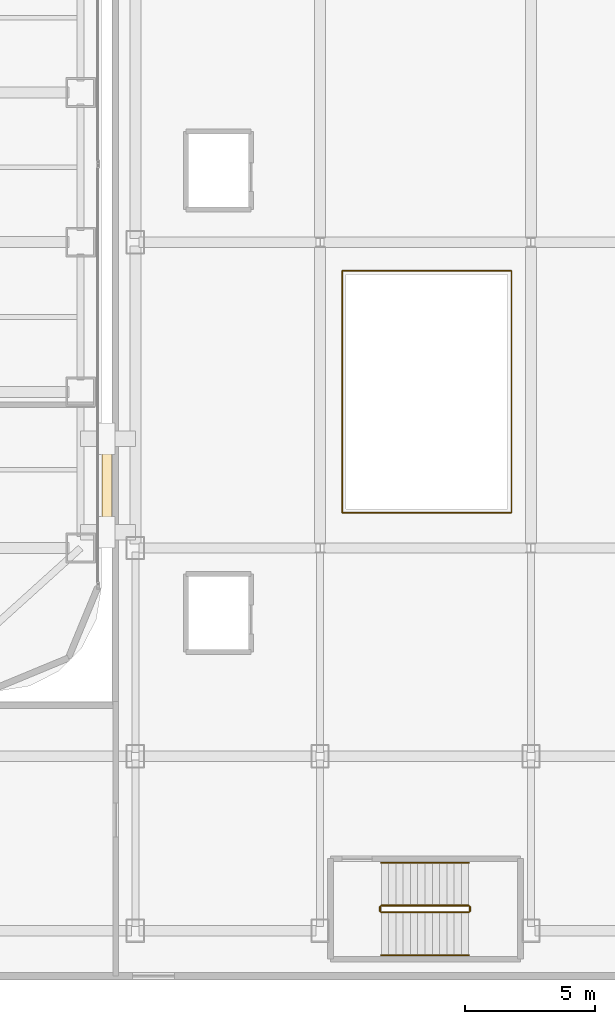
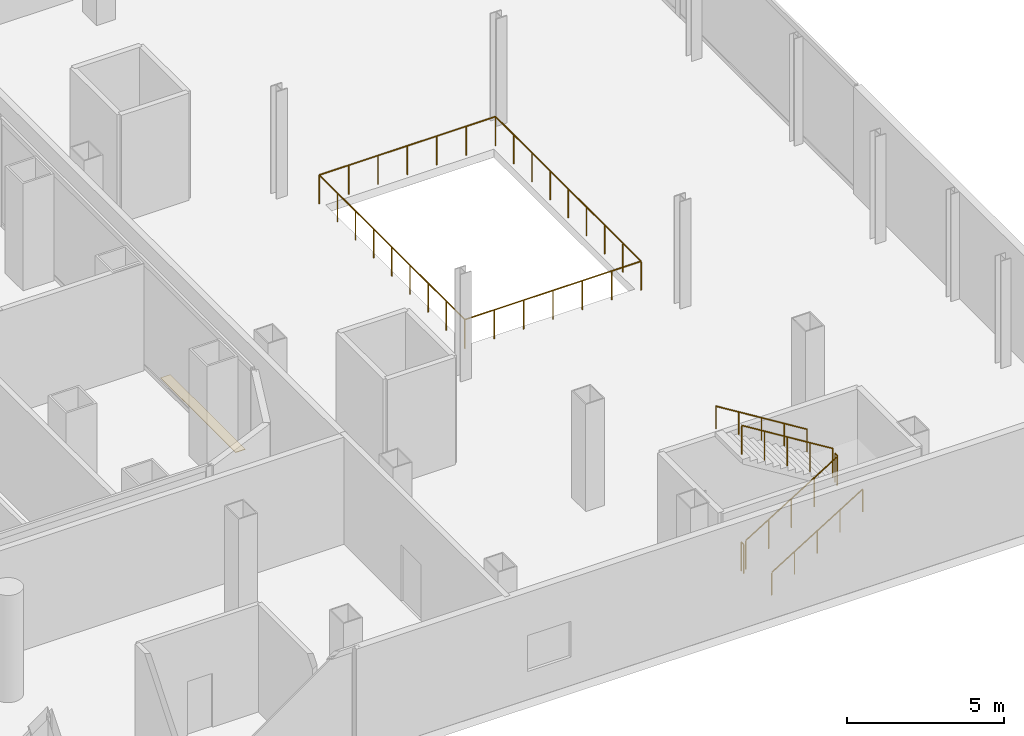
# One storey, part 24 of 26: 7 railings, 1 covering.
"""IFC4 building model written with IfcOpenShell, lengths in metres."""

from ifc_helpers import new_model, si_unit, direction, frame, origin, origin_2d, place, context, subcontext, project, spatial, polyline, circle, outline, extrude, material, layer, layer_set, type_object, element, save


model = new_model("IFC4")

# Units and contexts
model_context = context("Model", 3, precision=1e-05, world=origin(), true_north=direction((0.0, 1.0)))
body_context = subcontext(model_context, "Body", "Model", "MODEL_VIEW")
ifc_project = project(units=[si_unit("LENGTHUNIT", "METRE"), si_unit("AREAUNIT", "SQUARE_METRE"), si_unit("VOLUMEUNIT", "CUBIC_METRE"), si_unit("PLANEANGLEUNIT", "RADIAN"), si_unit("MASSUNIT", "GRAM", prefix="KILO")], contexts=[model_context])

# Site, building, storey
site_placement = place(None, origin())
site = spatial("IfcSite", under=ifc_project, at=site_placement, CompositionType="ELEMENT")
building_placement = place(site_placement, origin())
building = spatial("IfcBuilding", under=site, at=building_placement, Name="Kolveth Station Tower", CompositionType="ELEMENT")
storey_placement = place(building_placement, frame((0.0, 0.0, 4.5)))
storey = spatial("IfcBuildingStorey", under=building, at=storey_placement, Name="L01", CompositionType="ELEMENT", Elevation=4.5)

# Covering
ifc_material_1 = material(Name="Honed terrazzo flooring")
ifc_layer = layer(ifc_material_1, 0.02001953125)
ifc_layer_set = layer_set([ifc_layer], Name="Honed terrazzo flooring")
covering_type = type_object("IfcCoveringType", Name="Floor_FL1", PredefinedType="FLOORING", material=ifc_layer_set)
covering_placement = place(storey_placement, frame((0.0, 0.0, -0.02001953125)))
element("IfcCovering", 1, at=covering_placement, inside=storey, type_object=covering_type, Name="L01 Seismic Joint Concourse Threshold Flooring 2", PredefinedType="FLOORING", context=body_context, shape_type="SweptSolid", body=[
    extrude(outline(polyline([(47.02001953125, 5.5), (47.3798828125, 5.5), (47.3798828125, 10.300048828125), (47.02001953125, 10.300048828125), (47.02001953125, 5.5)])), origin(), (0.0, 0.0, 1.0), 0.02001953125),
])

# Railings
ifc_material_2 = material(Name="Painted Steel S355 balustrade", Category="steel")
railing_type_1 = type_object("IfcRailingType", Name="Guard_GR2", PredefinedType="BALUSTRADE", material=ifc_material_2)
railing_1_placement = place(storey_placement, frame((57.75, -8.5, 0.173095703125)))
element("IfcRailing", 2, at=railing_1_placement, inside=storey, type_object=railing_type_1, Name="L01 ST4 stair guard 1", PredefinedType="BALUSTRADE", context=body_context, shape_type="SweptSolid", body=[
    extrude(circle(Radius=0.02392578125, at=origin_2d()), frame((0.0, 0.0, 1.1259765625), z_axis=(0.850623216509, 0.0, 0.525775754039), x_axis=(0.0, 1.0, 0.0)), (0.0, 0.0, 1.0), 3.9501953125),
    extrude(circle(Radius=0.02099609375, at=origin_2d()), origin(), (0.0, 0.0, 1.0), 1.101806640625),
    extrude(circle(Radius=0.02099609375, at=origin_2d()), frame((0.840087890625, 0.0, 0.519287109375)), (0.0, 0.0, 1.0), 1.101806640625),
    extrude(circle(Radius=0.02099609375, at=origin_2d()), frame((1.68017578125, 0.0, 1.03857421875)), (0.0, 0.0, 1.0), 1.101806640625),
    extrude(circle(Radius=0.02099609375, at=origin_2d()), frame((2.52001953125, 0.0, 1.5576171875)), (0.0, 0.0, 1.0), 1.101806640625),
    extrude(circle(Radius=0.02099609375, at=origin_2d()), frame((3.360107421875, 0.0, 2.076904296875)), (0.0, 0.0, 1.0), 1.101806640625),
])
railing_2_placement = place(storey_placement, frame((61.159912109375, -8.449951171875, 2.25)))
element("IfcRailing", 3, at=railing_2_placement, inside=storey, type_object=railing_type_1, Name="L01 ST4 stair guard 2", PredefinedType="BALUSTRADE", context=body_context, shape_type="SweptSolid", body=[
    extrude(circle(Radius=0.02392578125, at=origin_2d()), frame((0.0, 0.0, 1.1259765625), z_axis=(0.0, 1.0, 0.0), x_axis=(-1.0, 0.0, 0.0)), (0.0, 0.0, 1.0), 0.159912109375),
    extrude(circle(Radius=0.02099609375, at=origin_2d()), origin(), (0.0, 0.0, 1.0), 1.101806640625),
    extrude(circle(Radius=0.02099609375, at=origin_2d()), frame((0.0, 0.159912109375, 0.0)), (0.0, 0.0, 1.0), 1.101806640625),
])
railing_3_placement = place(storey_placement, frame((61.110107421875, -8.239990234375, 2.423095703125)))
element("IfcRailing", 4, at=railing_3_placement, inside=storey, type_object=railing_type_1, Name="L01 ST4 stair guard 3", PredefinedType="BALUSTRADE", context=body_context, shape_type="SweptSolid", body=[
    extrude(circle(Radius=0.02392578125, at=origin_2d()), frame((0.0, 0.0, 1.1259765625), z_axis=(-0.850623216509, 0.0, 0.525775754039), x_axis=(0.0, -1.0, 0.0)), (0.0, 0.0, 1.0), 3.9501953125),
    extrude(circle(Radius=0.02099609375, at=origin_2d()), origin(), (0.0, 0.0, 1.0), 1.101806640625),
    extrude(circle(Radius=0.02099609375, at=origin_2d()), frame((-0.840087890625, 0.0, 0.519287109375)), (0.0, 0.0, 1.0), 1.101806640625),
    extrude(circle(Radius=0.02099609375, at=origin_2d()), frame((-1.68017578125, 0.0, 1.03857421875)), (0.0, 0.0, 1.0), 1.101806640625),
    extrude(circle(Radius=0.02099609375, at=origin_2d()), frame((-2.52001953125, 0.0, 1.5576171875)), (0.0, 0.0, 1.0), 1.101806640625),
    extrude(circle(Radius=0.02099609375, at=origin_2d()), frame((-3.360107421875, 0.0, 2.076904296875)), (0.0, 0.0, 1.0), 1.101806640625),
])
railing_4_placement = place(storey_placement, frame((57.699951171875, -8.449951171875, 0.0)))
element("IfcRailing", 5, at=railing_4_placement, inside=storey, type_object=railing_type_1, Name="L01 ST4 stair guard 4", PredefinedType="BALUSTRADE", context=body_context, shape_type="SweptSolid", body=[
    extrude(circle(Radius=0.02392578125, at=origin_2d()), frame((0.0, 0.0, 1.1259765625), z_axis=(0.0, 1.0, 0.0), x_axis=(-1.0, 0.0, 0.0)), (0.0, 0.0, 1.0), 0.159912109375),
    extrude(circle(Radius=0.02099609375, at=origin_2d()), origin(), (0.0, 0.0, 1.0), 1.101806640625),
    extrude(circle(Radius=0.02099609375, at=origin_2d()), frame((0.0, 0.159912109375, 0.0)), (0.0, 0.0, 1.0), 1.101806640625),
])
railing_5_placement = place(storey_placement, frame((56.25, 6.85009765625, 0.0)))
element("IfcRailing", 6, at=railing_5_placement, inside=storey, type_object=railing_type_1, Name="L01 Station Atrium Void Guard Railing", PredefinedType="BALUSTRADE", context=body_context, shape_type="SweptSolid", body=[
    extrude(circle(Radius=0.02392578125, at=origin_2d()), frame((0.0, 0.0, 1.1259765625), z_axis=(1.0, 0.0, 0.0), x_axis=(0.0, 1.0, 0.0)), (0.0, 0.0, 1.0), 6.5),
    extrude(circle(Radius=0.02392578125, at=origin_2d()), frame((6.5, 0.0, 1.1259765625), z_axis=(0.0, 1.0, 0.0), x_axis=(-1.0, 0.0, 0.0)), (0.0, 0.0, 1.0), 9.2998046875),
    extrude(circle(Radius=0.02392578125, at=origin_2d()), frame((6.5, 9.2998046875, 1.1259765625), z_axis=(-1.0, 0.0, 0.0), x_axis=(0.0, -1.0, 0.0)), (0.0, 0.0, 1.0), 6.5),
    extrude(circle(Radius=0.02392578125, at=origin_2d()), frame((0.0, 9.2998046875, 1.1259765625), z_axis=(0.0, -1.0, 0.0), x_axis=(1.0, 0.0, 0.0)), (0.0, 0.0, 1.0), 9.27490234375),
    extrude(circle(Radius=0.02099609375, at=origin_2d()), origin(), (0.0, 0.0, 1.0), 1.101806640625),
    extrude(circle(Radius=0.02099609375, at=origin_2d()), frame((1.083251953125, 0.0, 0.0)), (0.0, 0.0, 1.0), 1.101806640625),
    extrude(circle(Radius=0.02099609375, at=origin_2d()), frame((2.166748046875, 0.0, 0.0)), (0.0, 0.0, 1.0), 1.101806640625),
    extrude(circle(Radius=0.02099609375, at=origin_2d()), frame((3.25, 0.0, 0.0)), (0.0, 0.0, 1.0), 1.101806640625),
    extrude(circle(Radius=0.02099609375, at=origin_2d()), frame((4.333251953125, 0.0, 0.0)), (0.0, 0.0, 1.0), 1.101806640625),
    extrude(circle(Radius=0.02099609375, at=origin_2d()), frame((5.416748046875, 0.0, 0.0)), (0.0, 0.0, 1.0), 1.101806640625),
    extrude(circle(Radius=0.02099609375, at=origin_2d()), frame((6.5, 0.0, 0.0)), (0.0, 0.0, 1.0), 1.101806640625),
    extrude(circle(Radius=0.02099609375, at=origin_2d()), frame((6.5, 1.16259765625, 0.0)), (0.0, 0.0, 1.0), 1.101806640625),
    extrude(circle(Radius=0.02099609375, at=origin_2d()), frame((6.5, 2.324951171875, 0.0)), (0.0, 0.0, 1.0), 1.101806640625),
    extrude(circle(Radius=0.02099609375, at=origin_2d()), frame((6.5, 3.4873046875, 0.0)), (0.0, 0.0, 1.0), 1.101806640625),
    extrude(circle(Radius=0.02099609375, at=origin_2d()), frame((6.5, 4.64990234375, 0.0)), (0.0, 0.0, 1.0), 1.101806640625),
    extrude(circle(Radius=0.02099609375, at=origin_2d()), frame((6.5, 5.8125, 0.0)), (0.0, 0.0, 1.0), 1.101806640625),
    extrude(circle(Radius=0.02099609375, at=origin_2d()), frame((6.5, 6.974853515625, 0.0)), (0.0, 0.0, 1.0), 1.101806640625),
    extrude(circle(Radius=0.02099609375, at=origin_2d()), frame((6.5, 8.13720703125, 0.0)), (0.0, 0.0, 1.0), 1.101806640625),
    extrude(circle(Radius=0.02099609375, at=origin_2d()), frame((6.5, 9.2998046875, 0.0)), (0.0, 0.0, 1.0), 1.101806640625),
    extrude(circle(Radius=0.02099609375, at=origin_2d()), frame((5.416748046875, 9.2998046875, 0.0)), (0.0, 0.0, 1.0), 1.101806640625),
    extrude(circle(Radius=0.02099609375, at=origin_2d()), frame((4.333251953125, 9.2998046875, 0.0)), (0.0, 0.0, 1.0), 1.101806640625),
    extrude(circle(Radius=0.02099609375, at=origin_2d()), frame((3.25, 9.2998046875, 0.0)), (0.0, 0.0, 1.0), 1.101806640625),
    extrude(circle(Radius=0.02099609375, at=origin_2d()), frame((2.166748046875, 9.2998046875, 0.0)), (0.0, 0.0, 1.0), 1.101806640625),
    extrude(circle(Radius=0.02099609375, at=origin_2d()), frame((1.083251953125, 9.2998046875, 0.0)), (0.0, 0.0, 1.0), 1.101806640625),
    extrude(circle(Radius=0.02099609375, at=origin_2d()), frame((0.0, 9.2998046875, 0.0)), (0.0, 0.0, 1.0), 1.101806640625),
    extrude(circle(Radius=0.02099609375, at=origin_2d()), frame((0.0, 8.140380859375, 0.0)), (0.0, 0.0, 1.0), 1.101806640625),
    extrude(circle(Radius=0.02099609375, at=origin_2d()), frame((0.0, 6.98095703125, 0.0)), (0.0, 0.0, 1.0), 1.101806640625),
    extrude(circle(Radius=0.02099609375, at=origin_2d()), frame((0.0, 5.82177734375, 0.0)), (0.0, 0.0, 1.0), 1.101806640625),
    extrude(circle(Radius=0.02099609375, at=origin_2d()), frame((0.0, 4.662353515625, 0.0)), (0.0, 0.0, 1.0), 1.101806640625),
    extrude(circle(Radius=0.02099609375, at=origin_2d()), frame((0.0, 3.5029296875, 0.0)), (0.0, 0.0, 1.0), 1.101806640625),
    extrude(circle(Radius=0.02099609375, at=origin_2d()), frame((0.0, 2.34375, 0.0)), (0.0, 0.0, 1.0), 1.101806640625),
    extrude(circle(Radius=0.02099609375, at=origin_2d()), frame((0.0, 1.184326171875, 0.0)), (0.0, 0.0, 1.0), 1.101806640625),
    extrude(circle(Radius=0.02099609375, at=origin_2d()), frame((0.0, 0.02490234375, 0.0)), (0.0, 0.0, 1.0), 1.101806640625),
])
ifc_material_3 = material(Name="Brushed stainless steel", Category="steel")
railing_type_2 = type_object("IfcRailingType", Name="Handrail_HR1", PredefinedType="HANDRAIL", material=ifc_material_3)
railing_6_placement = place(storey_placement, frame((57.75, -10.14990234375, 0.173095703125)))
element("IfcRailing", 7, at=railing_6_placement, inside=storey, type_object=railing_type_2, Name="L01 ST4 stair handrail 1", PredefinedType="HANDRAIL", context=body_context, shape_type="SweptSolid", body=[
    extrude(circle(Radius=0.02392578125, at=origin_2d()), frame((0.0, 0.0, 0.8759765625), z_axis=(0.850623216509, 0.0, 0.525775754039), x_axis=(0.0, 1.0, 0.0)), (0.0, 0.0, 1.0), 3.9501953125),
    extrude(circle(Radius=0.02099609375, at=origin_2d()), origin(), (0.0, 0.0, 1.0), 0.851806640625),
    extrude(circle(Radius=0.02099609375, at=origin_2d()), frame((0.840087890625, 0.0, 0.519287109375)), (0.0, 0.0, 1.0), 0.851806640625),
    extrude(circle(Radius=0.02099609375, at=origin_2d()), frame((1.68017578125, 0.0, 1.03857421875)), (0.0, 0.0, 1.0), 0.851806640625),
    extrude(circle(Radius=0.02099609375, at=origin_2d()), frame((2.52001953125, 0.0, 1.5576171875)), (0.0, 0.0, 1.0), 0.851806640625),
    extrude(circle(Radius=0.02099609375, at=origin_2d()), frame((3.360107421875, 0.0, 2.076904296875)), (0.0, 0.0, 1.0), 0.851806640625),
])
railing_7_placement = place(storey_placement, frame((61.110107421875, -6.590087890625, 2.423095703125)))
element("IfcRailing", 8, at=railing_7_placement, inside=storey, type_object=railing_type_2, Name="L01 ST4 stair handrail 2", PredefinedType="HANDRAIL", context=body_context, shape_type="SweptSolid", body=[
    extrude(circle(Radius=0.02392578125, at=origin_2d()), frame((0.0, 0.0, 0.8759765625), z_axis=(-0.850623216509, 0.0, 0.525775754039), x_axis=(0.0, -1.0, 0.0)), (0.0, 0.0, 1.0), 3.9501953125),
    extrude(circle(Radius=0.02099609375, at=origin_2d()), origin(), (0.0, 0.0, 1.0), 0.851806640625),
    extrude(circle(Radius=0.02099609375, at=origin_2d()), frame((-0.840087890625, 0.0, 0.519287109375)), (0.0, 0.0, 1.0), 0.851806640625),
    extrude(circle(Radius=0.02099609375, at=origin_2d()), frame((-1.68017578125, 0.0, 1.03857421875)), (0.0, 0.0, 1.0), 0.851806640625),
    extrude(circle(Radius=0.02099609375, at=origin_2d()), frame((-2.52001953125, 0.0, 1.5576171875)), (0.0, 0.0, 1.0), 0.851806640625),
    extrude(circle(Radius=0.02099609375, at=origin_2d()), frame((-3.360107421875, 0.0, 2.076904296875)), (0.0, 0.0, 1.0), 0.851806640625),
])

save(model, "model.ifc")
